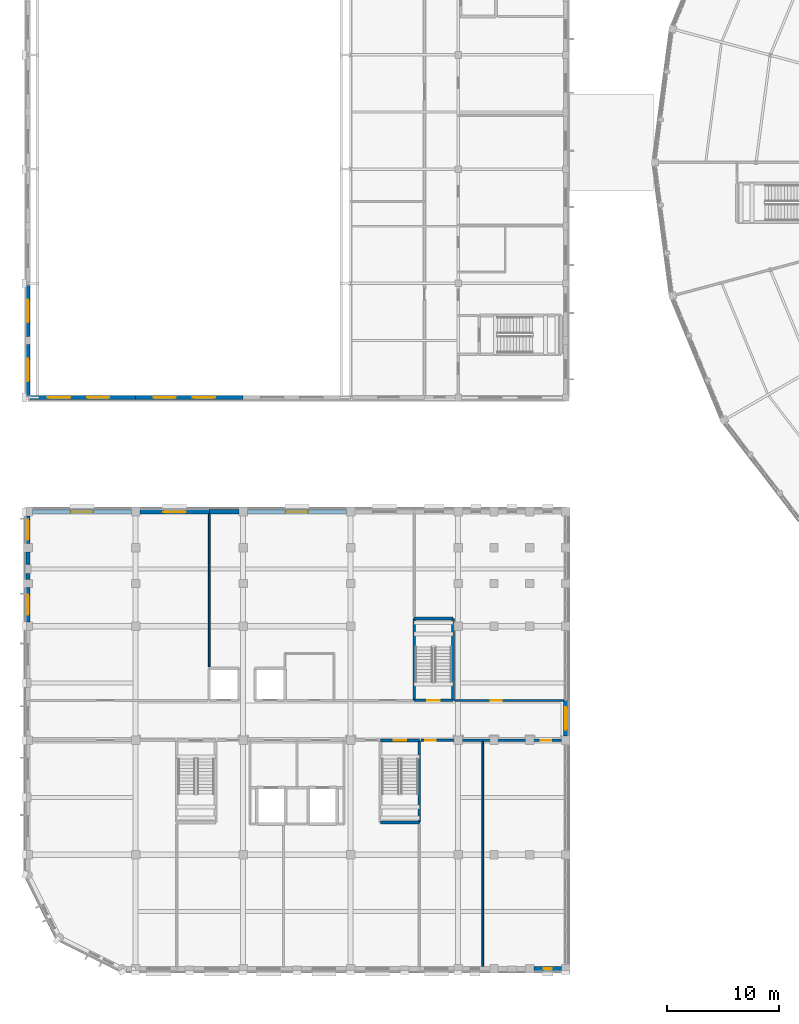
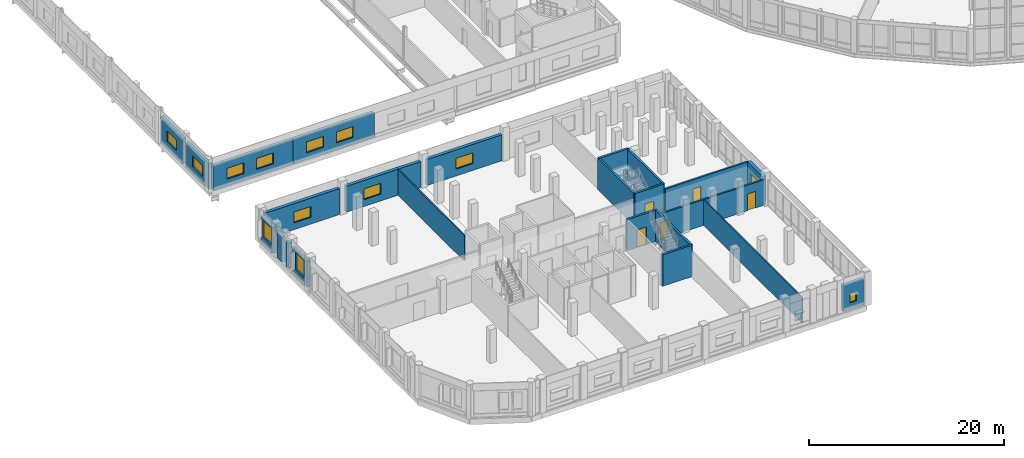
# One storey, part 138 of 170: 25 walls, 13 windows, 5 doors, 18 openings.
"""IFC4 building model written with IfcOpenShell, lengths in metres."""

import ifcopenshell
import ifcopenshell.guid

model = None  # the IFC model being written
_history = None  # IfcOwnerHistory: only IFC2X3 demands one
_inside = {}  # id of a spatial element -> (the spatial element, [elements in it])
_under = {}  # id of a project, library or spatial element -> (it, [spatial elements below it])
_declared = {}  # id of a project -> (the project, [libraries it declares])
_typed = {}  # id of a type object -> (the type object, [elements of that type])
_made_of = {}  # id of a material, layer set ... -> (it, [elements and type objects made of it])


def new_model(schema):
    """Start an empty IFC model of exactly this schema.

    Asked for "IFC4X3", IfcOpenShell would pick the latest addendum, in which some entities
    have other attributes; the version numbers below select the first issue.
    IFC2X3 requires an IfcOwnerHistory on every rooted entity: one is made here for all.
    """
    global model, _history
    if schema == "IFC4X3":
        model = ifcopenshell.file(schema_version=(4, 3, 0, 0))
    else:
        model = ifcopenshell.file(schema=schema)
    _inside.clear()
    _under.clear()
    _declared.clear()
    _typed.clear()
    _made_of.clear()
    _history = None
    if model.schema == "IFC2X3":
        org = make("IfcOrganization", Name="unknown")
        user = make(
            "IfcPersonAndOrganization",
            ThePerson=make("IfcPerson", FamilyName="unknown"),
            TheOrganization=org,
        )
        app = make(
            "IfcApplication",
            ApplicationDeveloper=org,
            Version="unknown",
            ApplicationFullName="unknown",
            ApplicationIdentifier="unknown",
        )
        _history = make(
            "IfcOwnerHistory",
            OwningUser=user,
            OwningApplication=app,
            ChangeAction="ADDED",
            CreationDate=0,
        )
    return model


def make(cls, **values):
    """One entity of the class cls with the attributes given. An attribute that is None is left unset."""
    return model.create_entity(
        cls, **{name: value for name, value in values.items() if value is not None}
    )


def rooted(cls, **values):
    """An entity with a GlobalId (a new one), such as an element, a storey or a relation."""
    return make(cls, GlobalId=ifcopenshell.guid.new(), OwnerHistory=_history, **values)


def si_unit(unit_type, name, prefix=None):
    """IfcSIUnit, for example si_unit("LENGTHUNIT", "METRE", prefix="MILLI")."""
    return make("IfcSIUnit", UnitType=unit_type, Prefix=prefix, Name=name)


def assignment(units):
    """IfcUnitAssignment: the units of a project."""
    return None if units is None else make("IfcUnitAssignment", Units=units)


def point(xyz):
    """IfcCartesianPoint."""
    return None if xyz is None else make("IfcCartesianPoint", Coordinates=xyz)


def direction(xyz):
    """IfcDirection."""
    return None if xyz is None else make("IfcDirection", DirectionRatios=xyz)


def frame(location, z_axis=None, x_axis=None):
    """IfcAxis2Placement3D, a coordinate frame: its origin and axes. An axis left out is left unset."""
    return make(
        "IfcAxis2Placement3D",
        Location=point(location),
        Axis=direction(z_axis),
        RefDirection=direction(x_axis),
    )


def frame_2d(location, x_axis=None):
    """IfcAxis2Placement2D, a coordinate frame in the plane: its origin and x axis."""
    return make(
        "IfcAxis2Placement2D", Location=point(location), RefDirection=direction(x_axis)
    )


def origin():
    """The frame at (0, 0, 0) with its axes left unset."""
    return frame((0.0, 0.0, 0.0))


def place(relative_to, where):
    """IfcLocalPlacement: puts the frame where relative to a parent placement (None: the world)."""
    return make(
        "IfcLocalPlacement", PlacementRelTo=relative_to, RelativePlacement=where
    )


def context(
    kind, dimensions, precision=None, world=None, true_north=None, identifier=None
):
    """IfcGeometricRepresentationContext, for example the 3D "Model" context."""
    return make(
        "IfcGeometricRepresentationContext",
        ContextIdentifier=identifier,
        ContextType=kind,
        CoordinateSpaceDimension=dimensions,
        Precision=precision,
        WorldCoordinateSystem=world,
        TrueNorth=true_north,
    )


def subcontext(parent, identifier, kind, view, scale=None):
    """IfcGeometricRepresentationSubContext, for example "Body" below "Model"."""
    return make(
        "IfcGeometricRepresentationSubContext",
        ContextIdentifier=identifier,
        ContextType=kind,
        ParentContext=parent,
        TargetScale=scale,
        TargetView=view,
    )


def project(units=None, contexts=None):
    """IfcProject with its units and contexts."""
    return rooted(
        "IfcProject",
        Name="project",
        RepresentationContexts=contexts,
        UnitsInContext=assignment(units),
    )


def spatial(cls, under=None, at=None, **own):
    """A site, building, storey or space (cls), placed at a placement, below another one or the project."""
    s = rooted(cls, ObjectPlacement=at, **own)
    if under is not None:
        _under.setdefault(under.id(), (under, []))[1].append(s)
    return s


def profile(cls, at=None, kind="AREA", **sizes):
    """A parametric profile (cls). Its sizes go by their IFC names, for example OverallWidth=200.0."""
    return make(cls, ProfileType=kind, Position=at, **sizes)


def rectangle(**sizes):
    """IfcRectangleProfileDef."""
    return profile("IfcRectangleProfileDef", **sizes)


def extrude(swept, where, along, depth):
    """IfcExtrudedAreaSolid: the profile swept, set in the frame where, extruded along a direction by depth."""
    return make(
        "IfcExtrudedAreaSolid",
        SweptArea=swept,
        Position=where,
        ExtrudedDirection=direction(along),
        Depth=depth,
    )


def shape(context_of_items, identifier, shape_type, items):
    """IfcShapeRepresentation: the items that make up one representation, for example the "Body"."""
    return make(
        "IfcShapeRepresentation",
        ContextOfItems=context_of_items,
        RepresentationIdentifier=identifier,
        RepresentationType=shape_type,
        Items=items,
    )


def material(Name=None, Category=None):
    """IfcMaterial."""
    return make("IfcMaterial", Name=Name, Category=Category)


def layer(
    of_material, thickness, ventilated=None, Name=None, Category=None, Priority=None
):
    """IfcMaterialLayer: one layer of a wall or slab, of a material (None: an air gap)."""
    return make(
        "IfcMaterialLayer",
        Material=of_material,
        LayerThickness=thickness,
        IsVentilated=ventilated,
        Name=Name,
        Category=Category,
        Priority=Priority,
    )


def layer_set(layers, Name=None):
    """IfcMaterialLayerSet."""
    return make("IfcMaterialLayerSet", MaterialLayers=layers, LayerSetName=Name)


def made_of(thing, what):
    """Note that an element or type object is made of a material, layer set ...; save() writes the relation."""
    if what is not None:
        _made_of.setdefault(what.id(), (what, []))[1].append(thing)
    return thing


def type_object(cls, material=None, **own):
    """A type object (cls), such as IfcWallType, which elements share."""
    return made_of(rooted(cls, **own), material)


def element(
    cls,
    number,
    at=None,
    inside=None,
    cuts=None,
    type_object=None,
    material=None,
    context=None,
    identifier="Body",
    shape_type=None,
    held_by="IfcProductDefinitionShape",
    body=None,
    shapes=None,
    **own,
):
    """One element of the class cls, such as IfcWall. Its Tag is "e" and its number.

    at: its placement. inside: the storey or other place that contains it. cuts: it is an
    opening in that element (IfcRelVoidsElement). A single representation is given by context,
    identifier, shape_type and body (its items); several are given by shapes. held_by: the class
    of the entity that holds the representations. save() writes the other relations.
    """
    e = rooted(cls, Tag="e%d" % number, ObjectPlacement=at, **own)
    if body is not None:
        shapes = [shape(context, identifier, shape_type, body)]
    if shapes is not None:
        e.Representation = make(held_by, Representations=shapes)
    if inside is not None:
        _inside.setdefault(inside.id(), (inside, []))[1].append(e)
    if cuts is not None:
        rooted(
            "IfcRelVoidsElement", RelatingBuildingElement=cuts, RelatedOpeningElement=e
        )
    if type_object is not None:
        _typed.setdefault(type_object.id(), (type_object, []))[1].append(e)
    return made_of(e, material)


def fill(opening, filler):
    """IfcRelFillsElement: the door or window that sits in an opening."""
    return rooted(
        "IfcRelFillsElement",
        RelatingOpeningElement=opening,
        RelatedBuildingElement=filler,
    )


def aggregate(whole, parts):
    """IfcRelAggregates: a whole, such as a stair, and the parts it consists of."""
    return rooted("IfcRelAggregates", RelatingObject=whole, RelatedObjects=parts)


def save(model, path):
    """Write the relations noted so far, then the file.

    IfcRelAggregates (storeys below a building ...), IfcRelContainedInSpatialStructure (elements
    in a storey), IfcRelDefinesByType, IfcRelAssociatesMaterial and IfcRelDeclares: one each for
    every whole, place, type object, material and project.
    """
    for whole, parts in _under.values():
        aggregate(whole, parts)
    for where, things in _inside.values():
        rooted(
            "IfcRelContainedInSpatialStructure",
            RelatedElements=things,
            RelatingStructure=where,
        )
    for kind, things in _typed.values():
        rooted("IfcRelDefinesByType", RelatedObjects=things, RelatingType=kind)
    for what, things in _made_of.values():
        rooted("IfcRelAssociatesMaterial", RelatedObjects=things, RelatingMaterial=what)
    for by, libraries in _declared.values():
        rooted("IfcRelDeclares", RelatingContext=by, RelatedDefinitions=libraries)
    model.write(path)


model = new_model("IFC4")

# Units and contexts
model_context = context("Model", 3, precision=1e-05, world=origin(), true_north=direction((0.0, 1.0)))
body_context = subcontext(model_context, "Body", "Model", "MODEL_VIEW")
ifc_project = project(units=[si_unit("LENGTHUNIT", "METRE"), si_unit("AREAUNIT", "SQUARE_METRE"), si_unit("VOLUMEUNIT", "CUBIC_METRE"), si_unit("PLANEANGLEUNIT", "RADIAN"), si_unit("MASSUNIT", "GRAM", prefix="KILO")], contexts=[model_context])

# Site, building, storey
site_placement = place(None, origin())
site = spatial("IfcSite", under=ifc_project, at=site_placement, CompositionType="ELEMENT")
building_placement = place(site_placement, origin())
building = spatial("IfcBuilding", under=site, at=building_placement, Name="Vondelvale Polytechnic", CompositionType="ELEMENT")
storey_placement = place(building_placement, frame((0.0, 0.0, 5.39990234375)))
storey = spatial("IfcBuildingStorey", under=building, at=storey_placement, Name="L01", CompositionType="ELEMENT", Elevation=5.39990234375)

# Wall, opening, window
ifc_material_1 = material(Name="Amsterdam School iron-spot clinker clay brickwork", Category="masonry")
ifc_layer_1 = layer(ifc_material_1, 0.3798828125)
ifc_layer_set_1 = layer_set([ifc_layer_1], Name="WL-BRICK-380")
wall_type_1 = type_object("IfcWallType", Name="WL-BRICK-380", PredefinedType="SOLIDWALL", material=ifc_layer_set_1)
wall_1_placement = place(storey_placement, frame((0.0, 51.16455078125, 0.0), z_axis=(0.0, 0.0, 1.0), x_axis=(0.0, 1.0, 0.0)))
wall_1 = element("IfcWall", 1, at=wall_1_placement, inside=storey, type_object=wall_type_1, Name="L01 exterior masonry facade wall", PredefinedType="SOLIDWALL", context=body_context, shape_type="SweptSolid", body=[
    extrude(rectangle(XDim=4.58447265625, YDim=0.3798828125, at=frame_2d((2.292236328125, 0.0))), origin(), (0.0, 0.0, 1.0), 3.2001953125),
])
opening_1_placement = place(wall_1_placement, frame((1.292236328125, 0.0, 0.85009765625)))
opening_1 = element("IfcOpeningElement", 2, at=opening_1_placement, cuts=wall_1, Name="Opening WN-0039", PredefinedType="OPENING", context=body_context, shape_type="SweptSolid", body=[
    extrude(rectangle(XDim=2.0, YDim=1.35009765625, at=frame_2d((1.0, 0.675048828125))), frame((0.0, 0.199951171875, 0.0), z_axis=(0.0, -1.0, 0.0), x_axis=(1.0, 0.0, 0.0)), (0.0, 0.0, 1.0), 0.39990234375),
])
ifc_material_2 = material(Name="Double-glazed low-E insulated architectural glass", Category="glass")
window_type_1 = type_object("IfcWindowType", Name="WN-RIB-2000x1350", PartitioningType="SINGLE_PANEL", PredefinedType="WINDOW", material=ifc_material_2)
window_1_placement = place(opening_1_placement, origin())
window_1 = element("IfcWindow", 3, at=window_1_placement, inside=storey, type_object=window_type_1, Name="L01 double-glazed architectural window WN-0039", OverallHeight=1.35009765625, OverallWidth=2.0, PartitioningType="SINGLE_PANEL", PredefinedType="WINDOW", context=body_context, shape_type="SweptSolid", body=[
    extrude(rectangle(XDim=2.0, YDim=1.35009765625, at=frame_2d((1.0, 0.675048828125))), frame((0.0, 0.030029296875, 0.0), z_axis=(0.0, -1.0, 0.0), x_axis=(1.0, 0.0, 0.0)), (0.0, 0.0, 1.0), 0.06005859375),
])
fill(opening_1, window_1)

wall_2_placement = place(storey_placement, frame((0.0, 56.450927734375, 0.0), z_axis=(0.0, 0.0, 1.0), x_axis=(0.0, 1.0, 0.0)))
wall_2 = element("IfcWall", 4, at=wall_2_placement, inside=storey, type_object=wall_type_1, Name="L01 exterior masonry facade wall", PredefinedType="SOLIDWALL", context=body_context, shape_type="SweptSolid", body=[
    extrude(rectangle(XDim=4.58447265625, YDim=0.3798828125, at=frame_2d((2.292236328125, 0.0))), origin(), (0.0, 0.0, 1.0), 3.2001953125),
])
opening_2_placement = place(wall_2_placement, frame((1.292236328125, 0.0, 0.85009765625)))
opening_2 = element("IfcOpeningElement", 5, at=opening_2_placement, cuts=wall_2, Name="Opening WN-0040", PredefinedType="OPENING", context=body_context, shape_type="SweptSolid", body=[
    extrude(rectangle(XDim=2.0, YDim=1.35009765625, at=frame_2d((1.0, 0.675048828125))), frame((0.0, 0.199951171875, 0.0), z_axis=(0.0, -1.0, 0.0), x_axis=(1.0, 0.0, 0.0)), (0.0, 0.0, 1.0), 0.39990234375),
])
window_2_placement = place(opening_2_placement, origin())
window_2 = element("IfcWindow", 6, at=window_2_placement, inside=storey, type_object=window_type_1, Name="L01 double-glazed architectural window WN-0040", OverallHeight=1.35009765625, OverallWidth=2.0, PartitioningType="SINGLE_PANEL", PredefinedType="WINDOW", context=body_context, shape_type="SweptSolid", body=[
    extrude(rectangle(XDim=2.0, YDim=1.35009765625, at=frame_2d((1.0, 0.675048828125))), frame((0.0, 0.030029296875, 0.0), z_axis=(0.0, -1.0, 0.0), x_axis=(1.0, 0.0, 0.0)), (0.0, 0.0, 1.0), 0.06005859375),
])
fill(opening_2, window_2)

# Wall, openings, windows
wall_3_placement = place(storey_placement, frame((9.60009765625, 51.0, 0.0), z_axis=(0.0, 0.0, 1.0), x_axis=(-1.0, 0.0, 0.0)))
wall_3 = element("IfcWall", 7, at=wall_3_placement, inside=storey, type_object=wall_type_1, Name="L01 exterior masonry facade wall", PredefinedType="SOLIDWALL", context=body_context, shape_type="SweptSolid", body=[
    extrude(rectangle(XDim=9.435546875, YDim=0.3798828125, at=frame_2d((4.7177734375, 0.0))), origin(), (0.0, 0.0, 1.0), 3.10009765625),
])
opening_3_placement = place(wall_3_placement, frame((5.83544921875, 0.0, 0.85009765625)))
opening_3 = element("IfcOpeningElement", 8, at=opening_3_placement, cuts=wall_3, Name="Opening WN-0067", PredefinedType="OPENING", context=body_context, shape_type="SweptSolid", body=[
    extrude(rectangle(XDim=2.0, YDim=1.35009765625, at=frame_2d((1.0, 0.675048828125))), frame((0.0, 0.199951171875, 0.0), z_axis=(0.0, -1.0, 0.0), x_axis=(1.0, 0.0, 0.0)), (0.0, 0.0, 1.0), 0.39990234375),
])
opening_4_placement = place(wall_3_placement, frame((2.33544921875, 0.0, 0.85009765625)))
opening_4 = element("IfcOpeningElement", 9, at=opening_4_placement, cuts=wall_3, Name="Opening WN-0068", PredefinedType="OPENING", context=body_context, shape_type="SweptSolid", body=[
    extrude(rectangle(XDim=2.0, YDim=1.35009765625, at=frame_2d((1.0, 0.675048828125))), frame((0.0, 0.199951171875, 0.0), z_axis=(0.0, -1.0, 0.0), x_axis=(1.0, 0.0, 0.0)), (0.0, 0.0, 1.0), 0.39990234375),
])
window_3_placement = place(opening_3_placement, origin())
window_3 = element("IfcWindow", 10, at=window_3_placement, inside=storey, type_object=window_type_1, Name="L01 double-glazed architectural window WN-0067", OverallHeight=1.35009765625, OverallWidth=2.0, PartitioningType="SINGLE_PANEL", PredefinedType="WINDOW", context=body_context, shape_type="SweptSolid", body=[
    extrude(rectangle(XDim=2.0, YDim=1.35009765625, at=frame_2d((1.0, 0.675048828125))), frame((0.0, 0.030029296875, 0.0), z_axis=(0.0, -1.0, 0.0), x_axis=(1.0, 0.0, 0.0)), (0.0, 0.0, 1.0), 0.06005859375),
])
fill(opening_3, window_3)
window_4_placement = place(opening_4_placement, origin())
window_4 = element("IfcWindow", 11, at=window_4_placement, inside=storey, type_object=window_type_1, Name="L01 double-glazed architectural window WN-0068", OverallHeight=1.35009765625, OverallWidth=2.0, PartitioningType="SINGLE_PANEL", PredefinedType="WINDOW", context=body_context, shape_type="SweptSolid", body=[
    extrude(rectangle(XDim=2.0, YDim=1.35009765625, at=frame_2d((1.0, 0.675048828125))), frame((0.0, 0.030029296875, 0.0), z_axis=(0.0, -1.0, 0.0), x_axis=(1.0, 0.0, 0.0)), (0.0, 0.0, 1.0), 0.06005859375),
])
fill(opening_4, window_4)

wall_4_placement = place(storey_placement, frame((19.199951171875, 51.0, 0.0), z_axis=(0.0, 0.0, 1.0), x_axis=(-1.0, 0.0, 0.0)))
wall_4 = element("IfcWall", 12, at=wall_4_placement, inside=storey, type_object=wall_type_1, Name="L01 exterior masonry facade wall", PredefinedType="SOLIDWALL", context=body_context, shape_type="SweptSolid", body=[
    extrude(rectangle(XDim=9.599853515625, YDim=0.3798828125, at=frame_2d((4.7998046875, 0.0))), origin(), (0.0, 0.0, 1.0), 3.10009765625),
])
opening_5_placement = place(wall_4_placement, frame((6.0, 0.0, 0.85009765625)))
opening_5 = element("IfcOpeningElement", 13, at=opening_5_placement, cuts=wall_4, Name="Opening WN-0069", PredefinedType="OPENING", context=body_context, shape_type="SweptSolid", body=[
    extrude(rectangle(XDim=2.0, YDim=1.35009765625, at=frame_2d((1.0, 0.675048828125))), frame((0.0, 0.199951171875, 0.0), z_axis=(0.0, -1.0, 0.0), x_axis=(1.0, 0.0, 0.0)), (0.0, 0.0, 1.0), 0.39990234375),
])
opening_6_placement = place(wall_4_placement, frame((2.5, 0.0, 0.85009765625)))
opening_6 = element("IfcOpeningElement", 14, at=opening_6_placement, cuts=wall_4, Name="Opening WN-0070", PredefinedType="OPENING", context=body_context, shape_type="SweptSolid", body=[
    extrude(rectangle(XDim=2.0, YDim=1.35009765625, at=frame_2d((1.0, 0.675048828125))), frame((0.0, 0.199951171875, 0.0), z_axis=(0.0, -1.0, 0.0), x_axis=(1.0, 0.0, 0.0)), (0.0, 0.0, 1.0), 0.39990234375),
])
window_5_placement = place(opening_5_placement, origin())
window_5 = element("IfcWindow", 15, at=window_5_placement, inside=storey, type_object=window_type_1, Name="L01 double-glazed architectural window WN-0069", OverallHeight=1.35009765625, OverallWidth=2.0, PartitioningType="SINGLE_PANEL", PredefinedType="WINDOW", context=body_context, shape_type="SweptSolid", body=[
    extrude(rectangle(XDim=2.0, YDim=1.35009765625, at=frame_2d((1.0, 0.675048828125))), frame((0.0, 0.030029296875, 0.0), z_axis=(0.0, -1.0, 0.0), x_axis=(1.0, 0.0, 0.0)), (0.0, 0.0, 1.0), 0.06005859375),
])
fill(opening_5, window_5)
window_6_placement = place(opening_6_placement, origin())
window_6 = element("IfcWindow", 16, at=window_6_placement, inside=storey, type_object=window_type_1, Name="L01 double-glazed architectural window WN-0070", OverallHeight=1.35009765625, OverallWidth=2.0, PartitioningType="SINGLE_PANEL", PredefinedType="WINDOW", context=body_context, shape_type="SweptSolid", body=[
    extrude(rectangle(XDim=2.0, YDim=1.35009765625, at=frame_2d((1.0, 0.675048828125))), frame((0.0, 0.030029296875, 0.0), z_axis=(0.0, -1.0, 0.0), x_axis=(1.0, 0.0, 0.0)), (0.0, 0.0, 1.0), 0.06005859375),
])
fill(opening_6, window_6)

# Wall, opening, window
wall_5_placement = place(storey_placement, frame((47.6240234375, 0.0, 0.0), z_axis=(0.0, 0.0, 1.0), x_axis=(-1.0, 0.0, 0.0)))
wall_5 = element("IfcWall", 17, at=wall_5_placement, inside=storey, type_object=wall_type_1, Name="L01 exterior masonry facade wall", PredefinedType="SOLIDWALL", context=body_context, shape_type="SweptSolid", body=[
    extrude(rectangle(XDim=2.447998046875, YDim=0.3798828125, at=frame_2d((1.22412109375, 0.0))), origin(), (0.0, 0.0, 1.0), 3.25),
])
opening_7_placement = place(wall_5_placement, frame((0.84912109375, 0.0, 0.800048828125)))
opening_7 = element("IfcOpeningElement", 18, at=opening_7_placement, cuts=wall_5, Name="Opening WN-0167", PredefinedType="OPENING", context=body_context, shape_type="SweptSolid", body=[
    extrude(rectangle(XDim=0.75, YDim=1.10009765625, at=frame_2d((0.375, 0.550048828125))), frame((0.0, 0.199951171875, 0.0), z_axis=(0.0, -1.0, 0.0), x_axis=(1.0, 0.0, 0.0)), (0.0, 0.0, 1.0), 0.39990234375),
])
window_type_2 = type_object("IfcWindowType", Name="WN-WC-0750x1100", PartitioningType="SINGLE_PANEL", PredefinedType="WINDOW", material=ifc_material_2)
window_7_placement = place(opening_7_placement, origin())
window_7 = element("IfcWindow", 19, at=window_7_placement, inside=storey, type_object=window_type_2, Name="L01 double-glazed architectural window WN-0167", OverallHeight=1.10009765625, OverallWidth=0.75, PartitioningType="SINGLE_PANEL", PredefinedType="WINDOW", context=body_context, shape_type="SweptSolid", body=[
    extrude(rectangle(XDim=0.75, YDim=1.10009765625, at=frame_2d((0.375, 0.550048828125))), frame((0.0, 0.030029296875, 0.0), z_axis=(0.0, -1.0, 0.0), x_axis=(1.0, 0.0, 0.0)), (0.0, 0.0, 1.0), 0.06005859375),
])
fill(opening_7, window_7)

wall_6_placement = place(storey_placement, frame((0.0, 30.97607421875, 0.0), z_axis=(0.0, 0.0, 1.0), x_axis=(0.0, 1.0, 0.0)))
wall_6 = element("IfcWall", 20, at=wall_6_placement, inside=storey, type_object=wall_type_1, Name="L01 exterior masonry facade wall", PredefinedType="SOLIDWALL", context=body_context, shape_type="SweptSolid", body=[
    extrude(rectangle(XDim=3.0478515625, YDim=0.3798828125, at=frame_2d((1.52392578125, 0.0))), origin(), (0.0, 0.0, 1.0), 3.25),
])
opening_8_placement = place(wall_6_placement, frame((0.6240234375, 0.0, 0.85009765625)))
opening_8 = element("IfcOpeningElement", 21, at=opening_8_placement, cuts=wall_6, Name="Opening WN-0172", PredefinedType="OPENING", context=body_context, shape_type="SweptSolid", body=[
    extrude(rectangle(XDim=1.800048828125, YDim=2.10009765625, at=frame_2d((0.89990234375, 1.050048828125))), frame((0.0, 0.199951171875, 0.0), z_axis=(0.0, -1.0, 0.0), x_axis=(1.0, 0.0, 0.0)), (0.0, 0.0, 1.0), 0.39990234375),
])
window_type_3 = type_object("IfcWindowType", Name="WN-LAB-1800x2100", PartitioningType="SINGLE_PANEL", PredefinedType="WINDOW", material=ifc_material_2)
window_8_placement = place(opening_8_placement, origin())
window_8 = element("IfcWindow", 22, at=window_8_placement, inside=storey, type_object=window_type_3, Name="L01 double-glazed architectural window WN-0172", OverallHeight=2.10009765625, OverallWidth=1.800048828125, PartitioningType="SINGLE_PANEL", PredefinedType="WINDOW", context=body_context, shape_type="SweptSolid", body=[
    extrude(rectangle(XDim=1.800048828125, YDim=2.10009765625, at=frame_2d((0.89990234375, 1.050048828125))), frame((0.0, 0.030029296875, 0.0), z_axis=(0.0, -1.0, 0.0), x_axis=(1.0, 0.0, 0.0)), (0.0, 0.0, 1.0), 0.06005859375),
])
fill(opening_8, window_8)

# Walls
wall_7_placement = place(storey_placement, frame((0.0, 34.77587890625, 0.0), z_axis=(0.0, 0.0, 1.0), x_axis=(0.0, 1.0, 0.0)))
element("IfcWall", 23, at=wall_7_placement, inside=storey, type_object=wall_type_1, Name="L01 exterior masonry facade wall", PredefinedType="SOLIDWALL", context=body_context, shape_type="SweptSolid", body=[
    extrude(rectangle(XDim=0.523193359375, YDim=0.3798828125, at=frame_2d((0.26171875, 0.0))), origin(), (0.0, 0.0, 1.0), 3.25),
])
wall_8_placement = place(storey_placement, frame((0.0, 36.10107421875, 0.0), z_axis=(0.0, 0.0, 1.0), x_axis=(0.0, 1.0, 0.0)))
element("IfcWall", 24, at=wall_8_placement, inside=storey, type_object=wall_type_1, Name="L01 exterior masonry facade wall", PredefinedType="SOLIDWALL", context=body_context, shape_type="SweptSolid", body=[
    extrude(rectangle(XDim=1.123046875, YDim=0.3798828125, at=frame_2d((0.5615234375, 0.0))), origin(), (0.0, 0.0, 1.0), 3.25),
])

# Wall, opening, window
wall_9_placement = place(storey_placement, frame((0.0, 37.97607421875, 0.0), z_axis=(0.0, 0.0, 1.0), x_axis=(0.0, 1.0, 0.0)))
wall_9 = element("IfcWall", 25, at=wall_9_placement, inside=storey, type_object=wall_type_1, Name="L01 exterior masonry facade wall", PredefinedType="SOLIDWALL", context=body_context, shape_type="SweptSolid", body=[
    extrude(rectangle(XDim=2.447998046875, YDim=0.3798828125, at=frame_2d((1.22412109375, 0.0))), origin(), (0.0, 0.0, 1.0), 3.25),
])
opening_9_placement = place(wall_9_placement, frame((0.323974609375, 0.0, 0.85009765625)))
opening_9 = element("IfcOpeningElement", 26, at=opening_9_placement, cuts=wall_9, Name="Opening WN-0173", PredefinedType="OPENING", context=body_context, shape_type="SweptSolid", body=[
    extrude(rectangle(XDim=1.800048828125, YDim=2.10009765625, at=frame_2d((0.89990234375, 1.050048828125))), frame((0.0, 0.199951171875, 0.0), z_axis=(0.0, -1.0, 0.0), x_axis=(1.0, 0.0, 0.0)), (0.0, 0.0, 1.0), 0.39990234375),
])
window_9_placement = place(opening_9_placement, origin())
window_9 = element("IfcWindow", 27, at=window_9_placement, inside=storey, type_object=window_type_3, Name="L01 double-glazed architectural window WN-0173", OverallHeight=2.10009765625, OverallWidth=1.800048828125, PartitioningType="SINGLE_PANEL", PredefinedType="WINDOW", context=body_context, shape_type="SweptSolid", body=[
    extrude(rectangle(XDim=1.800048828125, YDim=2.10009765625, at=frame_2d((0.89990234375, 1.050048828125))), frame((0.0, 0.030029296875, 0.0), z_axis=(0.0, -1.0, 0.0), x_axis=(1.0, 0.0, 0.0)), (0.0, 0.0, 1.0), 0.06005859375),
])
fill(opening_9, window_9)

wall_10_placement = place(storey_placement, frame((48.0, 23.949951171875, 0.0), z_axis=(0.0, 0.0, 1.0), x_axis=(0.0, -1.0, 0.0)))
wall_10 = element("IfcWall", 28, at=wall_10_placement, inside=storey, type_object=wall_type_1, Name="L01 exterior masonry facade wall", PredefinedType="SOLIDWALL", context=body_context, shape_type="SweptSolid", body=[
    extrude(rectangle(XDim=3.174072265625, YDim=0.3798828125, at=frame_2d((1.5869140625, 0.0))), origin(), (0.0, 0.0, 1.0), 3.25),
])
opening_10_placement = place(wall_10_placement, frame((0.5869140625, 0.0, 0.75)))
opening_10 = element("IfcOpeningElement", 29, at=opening_10_placement, cuts=wall_10, Name="Opening WN-0174", PredefinedType="OPENING", context=body_context, shape_type="SweptSolid", body=[
    extrude(rectangle(XDim=2.0, YDim=1.35009765625, at=frame_2d((1.0, 0.675048828125))), frame((0.0, 0.199951171875, 0.0), z_axis=(0.0, -1.0, 0.0), x_axis=(1.0, 0.0, 0.0)), (0.0, 0.0, 1.0), 0.39990234375),
])
window_10_placement = place(opening_10_placement, origin())
window_10 = element("IfcWindow", 30, at=window_10_placement, inside=storey, type_object=window_type_1, Name="L01 double-glazed architectural window WN-0174", OverallHeight=1.35009765625, OverallWidth=2.0, PartitioningType="SINGLE_PANEL", PredefinedType="WINDOW", context=body_context, shape_type="SweptSolid", body=[
    extrude(rectangle(XDim=2.0, YDim=1.35009765625, at=frame_2d((1.0, 0.675048828125))), frame((0.0, 0.030029296875, 0.0), z_axis=(0.0, -1.0, 0.0), x_axis=(1.0, 0.0, 0.0)), (0.0, 0.0, 1.0), 0.06005859375),
])
fill(opening_10, window_10)

wall_11_placement = place(storey_placement, frame((0.3759765625, 40.800048828125, 0.0), z_axis=(0.0, 0.0, 1.0), x_axis=(1.0, 0.0, 0.0)))
wall_11 = element("IfcWall", 31, at=wall_11_placement, inside=storey, type_object=wall_type_1, Name="L01 exterior masonry facade wall", PredefinedType="SOLIDWALL", context=body_context, shape_type="SweptSolid", body=[
    extrude(rectangle(XDim=8.84814453125, YDim=0.3798828125, at=frame_2d((4.424072265625, 0.0))), origin(), (0.0, 0.0, 1.0), 3.25),
])
opening_11_placement = place(wall_11_placement, frame((3.424072265625, 0.0, 0.85009765625)))
opening_11 = element("IfcOpeningElement", 32, at=opening_11_placement, cuts=wall_11, Name="Opening WN-0175", PredefinedType="OPENING", context=body_context, shape_type="SweptSolid", body=[
    extrude(rectangle(XDim=2.0, YDim=1.35009765625, at=frame_2d((1.0, 0.675048828125))), frame((0.0, 0.199951171875, 0.0), z_axis=(0.0, -1.0, 0.0), x_axis=(1.0, 0.0, 0.0)), (0.0, 0.0, 1.0), 0.39990234375),
])
window_11_placement = place(opening_11_placement, origin())
window_11 = element("IfcWindow", 33, at=window_11_placement, inside=storey, type_object=window_type_1, Name="L01 double-glazed architectural window WN-0175", OverallHeight=1.35009765625, OverallWidth=2.0, PartitioningType="SINGLE_PANEL", PredefinedType="WINDOW", context=body_context, shape_type="SweptSolid", body=[
    extrude(rectangle(XDim=2.0, YDim=1.35009765625, at=frame_2d((1.0, 0.675048828125))), frame((0.0, 0.030029296875, 0.0), z_axis=(0.0, -1.0, 0.0), x_axis=(1.0, 0.0, 0.0)), (0.0, 0.0, 1.0), 0.06005859375),
])
fill(opening_11, window_11)

wall_12_placement = place(storey_placement, frame((9.97607421875, 40.800048828125, 0.0), z_axis=(0.0, 0.0, 1.0), x_axis=(1.0, 0.0, 0.0)))
wall_12 = element("IfcWall", 34, at=wall_12_placement, inside=storey, type_object=wall_type_1, Name="L01 exterior masonry facade wall", PredefinedType="SOLIDWALL", context=body_context, shape_type="SweptSolid", body=[
    extrude(rectangle(XDim=6.198974609375, YDim=0.3798828125, at=frame_2d((3.099609375, 0.0))), origin(), (0.0, 0.0, 1.0), 3.25),
])
opening_12_placement = place(wall_12_placement, frame((2.099609375, 0.0, 0.85009765625)))
opening_12 = element("IfcOpeningElement", 35, at=opening_12_placement, cuts=wall_12, Name="Opening WN-0176", PredefinedType="OPENING", context=body_context, shape_type="SweptSolid", body=[
    extrude(rectangle(XDim=2.0, YDim=1.35009765625, at=frame_2d((1.0, 0.675048828125))), frame((0.0, 0.199951171875, 0.0), z_axis=(0.0, -1.0, 0.0), x_axis=(1.0, 0.0, 0.0)), (0.0, 0.0, 1.0), 0.39990234375),
])
window_12_placement = place(opening_12_placement, origin())
window_12 = element("IfcWindow", 36, at=window_12_placement, inside=storey, type_object=window_type_1, Name="L01 double-glazed architectural window WN-0176", OverallHeight=1.35009765625, OverallWidth=2.0, PartitioningType="SINGLE_PANEL", PredefinedType="WINDOW", context=body_context, shape_type="SweptSolid", body=[
    extrude(rectangle(XDim=2.0, YDim=1.35009765625, at=frame_2d((1.0, 0.675048828125))), frame((0.0, 0.030029296875, 0.0), z_axis=(0.0, -1.0, 0.0), x_axis=(1.0, 0.0, 0.0)), (0.0, 0.0, 1.0), 0.06005859375),
])
fill(opening_12, window_12)

# Wall
wall_13_placement = place(storey_placement, frame((16.175048828125, 40.800048828125, 0.0), z_axis=(0.0, 0.0, 1.0), x_axis=(1.0, 0.0, 0.0)))
element("IfcWall", 37, at=wall_13_placement, inside=storey, type_object=wall_type_1, Name="L01 exterior masonry facade wall", PredefinedType="SOLIDWALL", context=body_context, shape_type="SweptSolid", body=[
    extrude(rectangle(XDim=2.64892578125, YDim=0.3798828125, at=frame_2d((1.324462890625, 0.0))), origin(), (0.0, 0.0, 1.0), 3.25),
])

# Wall, opening, window
wall_14_placement = place(storey_placement, frame((19.575927734375, 40.800048828125, 0.0), z_axis=(0.0, 0.0, 1.0), x_axis=(1.0, 0.0, 0.0)))
wall_14 = element("IfcWall", 38, at=wall_14_placement, inside=storey, type_object=wall_type_1, Name="L01 exterior masonry facade wall", PredefinedType="SOLIDWALL", context=body_context, shape_type="SweptSolid", body=[
    extrude(rectangle(XDim=8.84814453125, YDim=0.3798828125, at=frame_2d((4.424072265625, 0.0))), origin(), (0.0, 0.0, 1.0), 3.25),
])
opening_13_placement = place(wall_14_placement, frame((3.424072265625, 0.0, 0.85009765625)))
opening_13 = element("IfcOpeningElement", 39, at=opening_13_placement, cuts=wall_14, Name="Opening WN-0177", PredefinedType="OPENING", context=body_context, shape_type="SweptSolid", body=[
    extrude(rectangle(XDim=2.0, YDim=1.35009765625, at=frame_2d((1.0, 0.675048828125))), frame((0.0, 0.199951171875, 0.0), z_axis=(0.0, -1.0, 0.0), x_axis=(1.0, 0.0, 0.0)), (0.0, 0.0, 1.0), 0.39990234375),
])
window_13_placement = place(opening_13_placement, origin())
window_13 = element("IfcWindow", 40, at=window_13_placement, inside=storey, type_object=window_type_1, Name="L01 double-glazed architectural window WN-0177", OverallHeight=1.35009765625, OverallWidth=2.0, PartitioningType="SINGLE_PANEL", PredefinedType="WINDOW", context=body_context, shape_type="SweptSolid", body=[
    extrude(rectangle(XDim=2.0, YDim=1.35009765625, at=frame_2d((1.0, 0.675048828125))), frame((0.0, 0.030029296875, 0.0), z_axis=(0.0, -1.0, 0.0), x_axis=(1.0, 0.0, 0.0)), (0.0, 0.0, 1.0), 0.06005859375),
])
fill(opening_13, window_13)

# Walls
ifc_material_3 = material(Name="Concrete N40 (f'c = 40 MPa)", Category="concrete")
ifc_layer_2 = layer(ifc_material_3, 0.25)
ifc_layer_set_2 = layer_set([ifc_layer_2], Name="WL-CORE-250")
wall_type_2 = type_object("IfcWallType", Name="WL-CORE-250", PredefinedType="SOLIDWALL", material=ifc_layer_set_2)
wall_15_placement = place(storey_placement, frame((31.47509765625, 13.074951171875, 0.0), z_axis=(0.0, 0.0, 1.0), x_axis=(1.0, 0.0, 0.0)))
element("IfcWall", 41, at=wall_15_placement, inside=storey, type_object=wall_type_2, Name="L01 ST-04 reinforced concrete stair core wall", PredefinedType="SOLIDWALL", context=body_context, shape_type="SweptSolid", body=[
    extrude(rectangle(XDim=3.449951171875, YDim=0.25, at=frame_2d((1.72509765625, 0.0))), origin(), (0.0, 0.0, 1.0), 3.920166015625),
])
wall_16_placement = place(storey_placement, frame((34.925048828125, 13.074951171875, 0.0), z_axis=(0.0, 0.0, 1.0), x_axis=(0.0, 1.0, 0.0)))
element("IfcWall", 42, at=wall_16_placement, inside=storey, type_object=wall_type_2, Name="L01 ST-04 reinforced concrete stair core wall", PredefinedType="SOLIDWALL", context=body_context, shape_type="SweptSolid", body=[
    extrude(rectangle(XDim=7.300048828125, YDim=0.25, at=frame_2d((3.64990234375, 0.0))), origin(), (0.0, 0.0, 1.0), 3.920166015625),
])

# Wall, opening, door
wall_17_placement = place(storey_placement, frame((34.925048828125, 20.375, 0.0), z_axis=(0.0, 0.0, 1.0), x_axis=(-1.0, 0.0, 0.0)))
wall_17 = element("IfcWall", 43, at=wall_17_placement, inside=storey, type_object=wall_type_2, Name="L01 ST-04 reinforced concrete stair core wall", PredefinedType="SOLIDWALL", context=body_context, shape_type="SweptSolid", body=[
    extrude(rectangle(XDim=3.449951171875, YDim=0.25, at=frame_2d((1.72509765625, 0.0))), origin(), (0.0, 0.0, 1.0), 3.920166015625),
])
opening_14_placement = place(wall_17_placement, frame((1.175048828125, 0.0, 0.0)))
opening_14 = element("IfcOpeningElement", 44, at=opening_14_placement, cuts=wall_17, Name="Opening SD-020", PredefinedType="OPENING", context=body_context, shape_type="SweptSolid", body=[
    extrude(rectangle(XDim=1.10009765625, YDim=2.199951171875, at=frame_2d((0.550048828125, 1.10009765625))), frame((0.0, 0.135009765625, 0.0), z_axis=(0.0, -1.0, 0.0), x_axis=(1.0, 0.0, 0.0)), (0.0, 0.0, 1.0), 0.27001953125),
])
ifc_material_4 = material(Name="Brushed architectural stainless and zinc-coated metal")
door_type_1 = type_object("IfcDoorType", Name="DR-STAIR-1100x2200", OperationType="SINGLE_SWING_LEFT", PredefinedType="DOOR", material=ifc_material_4)
door_1_placement = place(opening_14_placement, origin())
door_1 = element("IfcDoor", 45, at=door_1_placement, inside=storey, type_object=door_type_1, Name="L01 ST-04 fire-isolated stair door", OperationType="SINGLE_SWING_RIGHT", OverallHeight=2.199951171875, OverallWidth=1.10009765625, PredefinedType="DOOR", context=body_context, shape_type="SweptSolid", body=[
    extrude(rectangle(XDim=1.10009765625, YDim=2.199951171875, at=frame_2d((0.550048828125, 1.10009765625))), frame((0.0, 0.02490234375, 0.0), z_axis=(0.0, -1.0, 0.0), x_axis=(1.0, 0.0, 0.0)), (0.0, 0.0, 1.0), 0.050048828125),
])
fill(opening_14, door_1)

# Walls
wall_18_placement = place(storey_placement, frame((37.925048828125, 23.97509765625, 0.0), z_axis=(0.0, 0.0, 1.0), x_axis=(0.0, 1.0, 0.0)))
element("IfcWall", 46, at=wall_18_placement, inside=storey, type_object=wall_type_2, Name="L01 ST-05 reinforced concrete stair core wall", PredefinedType="SOLIDWALL", context=body_context, shape_type="SweptSolid", body=[
    extrude(rectangle(XDim=7.2998046875, YDim=0.25, at=frame_2d((3.64990234375, 0.0))), origin(), (0.0, 0.0, 1.0), 3.920166015625),
])
wall_19_placement = place(storey_placement, frame((37.925048828125, 31.27490234375, 0.0), z_axis=(0.0, 0.0, 1.0), x_axis=(-1.0, 0.0, 0.0)))
element("IfcWall", 47, at=wall_19_placement, inside=storey, type_object=wall_type_2, Name="L01 ST-05 reinforced concrete stair core wall", PredefinedType="SOLIDWALL", context=body_context, shape_type="SweptSolid", body=[
    extrude(rectangle(XDim=3.449951171875, YDim=0.25, at=frame_2d((1.72509765625, 0.0))), origin(), (0.0, 0.0, 1.0), 3.920166015625),
])
wall_20_placement = place(storey_placement, frame((34.47509765625, 31.27490234375, 0.0), z_axis=(0.0, 0.0, 1.0), x_axis=(0.0, -1.0, 0.0)))
element("IfcWall", 48, at=wall_20_placement, inside=storey, type_object=wall_type_2, Name="L01 ST-05 reinforced concrete stair core wall", PredefinedType="SOLIDWALL", context=body_context, shape_type="SweptSolid", body=[
    extrude(rectangle(XDim=7.2998046875, YDim=0.25, at=frame_2d((3.64990234375, 0.0))), origin(), (0.0, 0.0, 1.0), 3.920166015625),
])

# Wall, opening, door
wall_21_placement = place(storey_placement, frame((34.47509765625, 23.97509765625, 0.0), z_axis=(0.0, 0.0, 1.0), x_axis=(1.0, 0.0, 0.0)))
wall_21 = element("IfcWall", 49, at=wall_21_placement, inside=storey, type_object=wall_type_2, Name="L01 ST-05 reinforced concrete stair core wall", PredefinedType="SOLIDWALL", context=body_context, shape_type="SweptSolid", body=[
    extrude(rectangle(XDim=3.449951171875, YDim=0.25, at=frame_2d((1.72509765625, 0.0))), origin(), (0.0, 0.0, 1.0), 3.920166015625),
])
opening_15_placement = place(wall_21_placement, frame((1.175048828125, 0.0, 0.0)))
opening_15 = element("IfcOpeningElement", 50, at=opening_15_placement, cuts=wall_21, Name="Opening SD-029", PredefinedType="OPENING", context=body_context, shape_type="SweptSolid", body=[
    extrude(rectangle(XDim=1.10009765625, YDim=2.199951171875, at=frame_2d((0.550048828125, 1.10009765625))), frame((0.0, 0.135009765625, 0.0), z_axis=(0.0, -1.0, 0.0), x_axis=(1.0, 0.0, 0.0)), (0.0, 0.0, 1.0), 0.27001953125),
])
door_2_placement = place(opening_15_placement, origin())
door_2 = element("IfcDoor", 51, at=door_2_placement, inside=storey, type_object=door_type_1, Name="L01 ST-05 fire-isolated stair door", OperationType="SINGLE_SWING_LEFT", OverallHeight=2.199951171875, OverallWidth=1.10009765625, PredefinedType="DOOR", context=body_context, shape_type="SweptSolid", body=[
    extrude(rectangle(XDim=1.10009765625, YDim=2.199951171875, at=frame_2d((0.550048828125, 1.10009765625))), frame((0.0, 0.02490234375, 0.0), z_axis=(0.0, -1.0, 0.0), x_axis=(1.0, 0.0, 0.0)), (0.0, 0.0, 1.0), 0.050048828125),
])
fill(opening_15, door_2)

# Wall, openings, doors
ifc_material_5 = material(Name="Fire-rated double-layer plasterboard stud partition")
ifc_layer_3 = layer(ifc_material_5, 0.199951171875)
ifc_layer_set_3 = layer_set([ifc_layer_3], Name="WL-CORR-200")
wall_type_3 = type_object("IfcWallType", Name="WL-CORR-200", PredefinedType="PARTITIONING", material=ifc_layer_set_3)
wall_22_placement = place(storey_placement, frame((35.090087890625, 20.39990234375, 0.0), z_axis=(0.0, 0.0, 1.0), x_axis=(1.0, 0.0, 0.0)))
wall_22 = element("IfcWall", 52, at=wall_22_placement, inside=storey, type_object=wall_type_3, Name="L01 interior acoustic partition", PredefinedType="PARTITIONING", context=body_context, shape_type="SweptSolid", body=[
    extrude(rectangle(XDim=12.760009765625, YDim=0.199951171875, at=frame_2d((6.3798828125, 0.0))), origin(), (0.0, 0.0, 1.0), 3.2001953125),
])
opening_16_placement = place(wall_22_placement, frame((0.35498046875, 0.0, 0.0)))
opening_16 = element("IfcOpeningElement", 53, at=opening_16_placement, cuts=wall_22, Name="Opening ID-0152", PredefinedType="OPENING", context=body_context, shape_type="SweptSolid", body=[
    extrude(rectangle(XDim=0.949951171875, YDim=2.10009765625, at=frame_2d((0.47509765625, 1.050048828125))), frame((0.0, 0.10986328125, 0.0), z_axis=(0.0, -1.0, 0.0), x_axis=(1.0, 0.0, 0.0)), (0.0, 0.0, 1.0), 0.219970703125),
])
opening_17_placement = place(wall_22_placement, frame((10.659912109375, 0.0, 0.0)))
opening_17 = element("IfcOpeningElement", 54, at=opening_17_placement, cuts=wall_22, Name="Opening ID-0153", PredefinedType="OPENING", context=body_context, shape_type="SweptSolid", body=[
    extrude(rectangle(XDim=0.949951171875, YDim=2.10009765625, at=frame_2d((0.47509765625, 1.050048828125))), frame((0.0, 0.10986328125, 0.0), z_axis=(0.0, -1.0, 0.0), x_axis=(1.0, 0.0, 0.0)), (0.0, 0.0, 1.0), 0.219970703125),
])
ifc_material_6 = material(Name="Fire-rated solid Tasmanian oak joinery")
door_type_2 = type_object("IfcDoorType", Name="DR-INT-0950x2100", OperationType="SINGLE_SWING_LEFT", PredefinedType="DOOR", material=ifc_material_6)
door_3_placement = place(opening_16_placement, origin())
door_3 = element("IfcDoor", 55, at=door_3_placement, inside=storey, type_object=door_type_2, Name="L01 interior room door ID-0152", OperationType="SINGLE_SWING_RIGHT", OverallHeight=2.10009765625, OverallWidth=0.949951171875, PredefinedType="DOOR", context=body_context, shape_type="SweptSolid", body=[
    extrude(rectangle(XDim=0.949951171875, YDim=2.10009765625, at=frame_2d((0.47509765625, 1.050048828125))), frame((0.0, 0.02490234375, 0.0), z_axis=(0.0, -1.0, 0.0), x_axis=(1.0, 0.0, 0.0)), (0.0, 0.0, 1.0), 0.050048828125),
])
fill(opening_16, door_3)
door_4_placement = place(opening_17_placement, origin())
door_4 = element("IfcDoor", 56, at=door_4_placement, inside=storey, type_object=door_type_2, Name="L01 interior room door ID-0153", OperationType="SINGLE_SWING_LEFT", OverallHeight=2.10009765625, OverallWidth=0.949951171875, PredefinedType="DOOR", context=body_context, shape_type="SweptSolid", body=[
    extrude(rectangle(XDim=0.949951171875, YDim=2.10009765625, at=frame_2d((0.47509765625, 1.050048828125))), frame((0.0, 0.02490234375, 0.0), z_axis=(0.0, -1.0, 0.0), x_axis=(1.0, 0.0, 0.0)), (0.0, 0.0, 1.0), 0.050048828125),
])
fill(opening_17, door_4)

# Wall, opening, door
wall_23_placement = place(storey_placement, frame((38.090087890625, 23.949951171875, 0.0), z_axis=(0.0, 0.0, 1.0), x_axis=(1.0, 0.0, 0.0)))
wall_23 = element("IfcWall", 57, at=wall_23_placement, inside=storey, type_object=wall_type_3, Name="L01 interior acoustic partition", PredefinedType="PARTITIONING", context=body_context, shape_type="SweptSolid", body=[
    extrude(rectangle(XDim=9.760009765625, YDim=0.199951171875, at=frame_2d((4.8798828125, 0.0))), origin(), (0.0, 0.0, 1.0), 3.25),
])
opening_18_placement = place(wall_23_placement, frame((3.235107421875, 0.0, 0.0)))
opening_18 = element("IfcOpeningElement", 58, at=opening_18_placement, cuts=wall_23, Name="Opening ID-0157", PredefinedType="OPENING", context=body_context, shape_type="SweptSolid", body=[
    extrude(rectangle(XDim=0.949951171875, YDim=2.10009765625, at=frame_2d((0.47509765625, 1.050048828125))), frame((0.0, 0.10986328125, 0.0), z_axis=(0.0, -1.0, 0.0), x_axis=(1.0, 0.0, 0.0)), (0.0, 0.0, 1.0), 0.219970703125),
])
door_5_placement = place(opening_18_placement, origin())
door_5 = element("IfcDoor", 59, at=door_5_placement, inside=storey, type_object=door_type_2, Name="L01 interior room door ID-0157", OperationType="SINGLE_SWING_LEFT", OverallHeight=2.10009765625, OverallWidth=0.949951171875, PredefinedType="DOOR", context=body_context, shape_type="SweptSolid", body=[
    extrude(rectangle(XDim=0.949951171875, YDim=2.10009765625, at=frame_2d((0.47509765625, 1.050048828125))), frame((0.0, 0.02490234375, 0.0), z_axis=(0.0, -1.0, 0.0), x_axis=(1.0, 0.0, 0.0)), (0.0, 0.0, 1.0), 0.050048828125),
])
fill(opening_18, door_5)

# Walls
ifc_layer_4 = layer(ifc_material_5, 0.14990234375)
ifc_layer_set_4 = layer_set([ifc_layer_4], Name="WL-INT-150")
wall_type_4 = type_object("IfcWallType", Name="WL-INT-150", PredefinedType="PARTITIONING", material=ifc_layer_set_4)
wall_24_placement = place(storey_placement, frame((40.60009765625, 0.14990234375, 0.0), z_axis=(0.0, 0.0, 1.0), x_axis=(0.0, 1.0, 0.0)))
element("IfcWall", 60, at=wall_24_placement, inside=storey, type_object=wall_type_4, Name="L01 interior acoustic partition", PredefinedType="PARTITIONING", context=body_context, shape_type="SweptSolid", body=[
    extrude(rectangle(XDim=20.25, YDim=0.14990234375, at=frame_2d((10.125, 0.0))), origin(), (0.0, 0.0, 1.0), 3.2001953125),
])
wall_25_placement = place(storey_placement, frame((16.175048828125, 26.989990234375, 0.0), z_axis=(0.0, 0.0, 1.0), x_axis=(0.0, 1.0, 0.0)))
element("IfcWall", 61, at=wall_25_placement, inside=storey, type_object=wall_type_4, Name="L01 interior acoustic partition", PredefinedType="PARTITIONING", context=body_context, shape_type="SweptSolid", body=[
    extrude(rectangle(XDim=13.659912109375, YDim=0.14990234375, at=frame_2d((6.830078125, 0.0))), origin(), (0.0, 0.0, 1.0), 3.2001953125),
])

save(model, "model.ifc")
